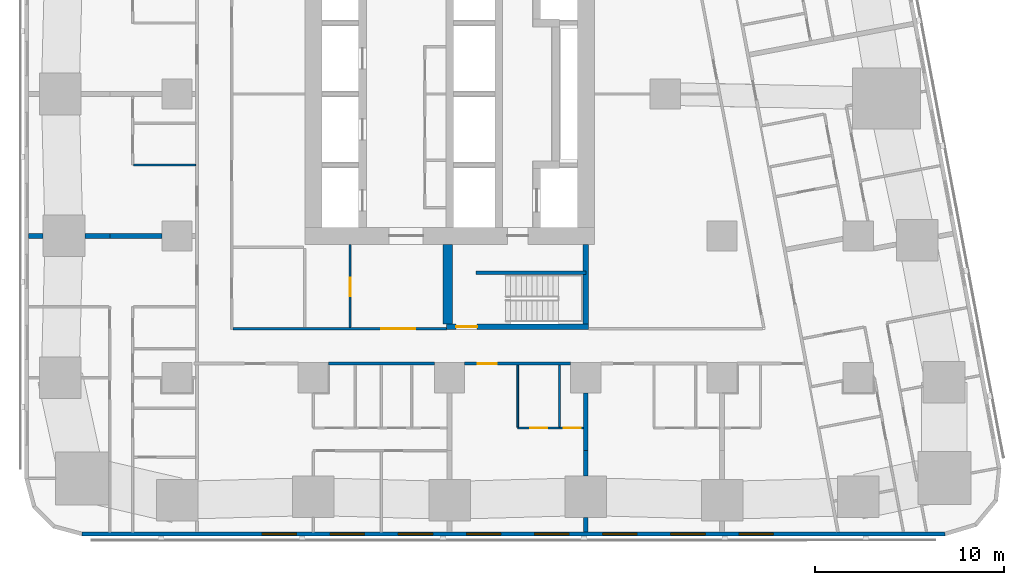
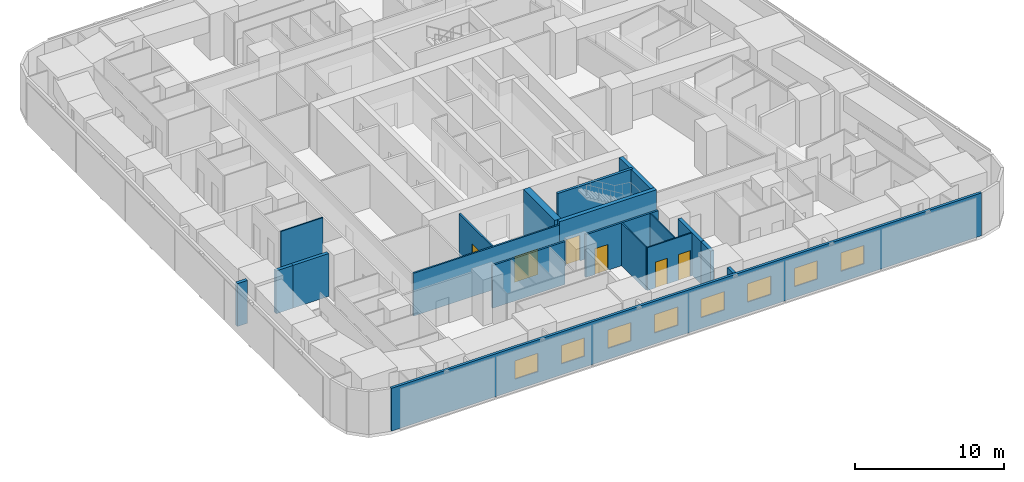
# One storey, part 3 of 14: 19 walls, 8 windows, 6 doors, 14 openings.
"""IFC4 building model written with IfcOpenShell, lengths in metres."""

import ifcopenshell
import ifcopenshell.guid

model = None  # the IFC model being written
_history = None  # IfcOwnerHistory: only IFC2X3 demands one
_inside = {}  # id of a spatial element -> (the spatial element, [elements in it])
_under = {}  # id of a project, library or spatial element -> (it, [spatial elements below it])
_declared = {}  # id of a project -> (the project, [libraries it declares])
_typed = {}  # id of a type object -> (the type object, [elements of that type])
_made_of = {}  # id of a material, layer set ... -> (it, [elements and type objects made of it])


def new_model(schema):
    """Start an empty IFC model of exactly this schema.

    Asked for "IFC4X3", IfcOpenShell would pick the latest addendum, in which some entities
    have other attributes; the version numbers below select the first issue.
    IFC2X3 requires an IfcOwnerHistory on every rooted entity: one is made here for all.
    """
    global model, _history
    if schema == "IFC4X3":
        model = ifcopenshell.file(schema_version=(4, 3, 0, 0))
    else:
        model = ifcopenshell.file(schema=schema)
    _inside.clear()
    _under.clear()
    _declared.clear()
    _typed.clear()
    _made_of.clear()
    _history = None
    if model.schema == "IFC2X3":
        org = make("IfcOrganization", Name="unknown")
        user = make(
            "IfcPersonAndOrganization",
            ThePerson=make("IfcPerson", FamilyName="unknown"),
            TheOrganization=org,
        )
        app = make(
            "IfcApplication",
            ApplicationDeveloper=org,
            Version="unknown",
            ApplicationFullName="unknown",
            ApplicationIdentifier="unknown",
        )
        _history = make(
            "IfcOwnerHistory",
            OwningUser=user,
            OwningApplication=app,
            ChangeAction="ADDED",
            CreationDate=0,
        )
    return model


def make(cls, **values):
    """One entity of the class cls with the attributes given. An attribute that is None is left unset."""
    return model.create_entity(
        cls, **{name: value for name, value in values.items() if value is not None}
    )


def rooted(cls, **values):
    """An entity with a GlobalId (a new one), such as an element, a storey or a relation."""
    return make(cls, GlobalId=ifcopenshell.guid.new(), OwnerHistory=_history, **values)


def si_unit(unit_type, name, prefix=None):
    """IfcSIUnit, for example si_unit("LENGTHUNIT", "METRE", prefix="MILLI")."""
    return make("IfcSIUnit", UnitType=unit_type, Prefix=prefix, Name=name)


def assignment(units):
    """IfcUnitAssignment: the units of a project."""
    return None if units is None else make("IfcUnitAssignment", Units=units)


def point(xyz):
    """IfcCartesianPoint."""
    return None if xyz is None else make("IfcCartesianPoint", Coordinates=xyz)


def direction(xyz):
    """IfcDirection."""
    return None if xyz is None else make("IfcDirection", DirectionRatios=xyz)


def frame(location, z_axis=None, x_axis=None):
    """IfcAxis2Placement3D, a coordinate frame: its origin and axes. An axis left out is left unset."""
    return make(
        "IfcAxis2Placement3D",
        Location=point(location),
        Axis=direction(z_axis),
        RefDirection=direction(x_axis),
    )


def frame_2d(location, x_axis=None):
    """IfcAxis2Placement2D, a coordinate frame in the plane: its origin and x axis."""
    return make(
        "IfcAxis2Placement2D", Location=point(location), RefDirection=direction(x_axis)
    )


def origin():
    """The frame at (0, 0, 0) with its axes left unset."""
    return frame((0.0, 0.0, 0.0))


def place(relative_to, where):
    """IfcLocalPlacement: puts the frame where relative to a parent placement (None: the world)."""
    return make(
        "IfcLocalPlacement", PlacementRelTo=relative_to, RelativePlacement=where
    )


def context(
    kind, dimensions, precision=None, world=None, true_north=None, identifier=None
):
    """IfcGeometricRepresentationContext, for example the 3D "Model" context."""
    return make(
        "IfcGeometricRepresentationContext",
        ContextIdentifier=identifier,
        ContextType=kind,
        CoordinateSpaceDimension=dimensions,
        Precision=precision,
        WorldCoordinateSystem=world,
        TrueNorth=true_north,
    )


def subcontext(parent, identifier, kind, view, scale=None):
    """IfcGeometricRepresentationSubContext, for example "Body" below "Model"."""
    return make(
        "IfcGeometricRepresentationSubContext",
        ContextIdentifier=identifier,
        ContextType=kind,
        ParentContext=parent,
        TargetScale=scale,
        TargetView=view,
    )


def project(units=None, contexts=None):
    """IfcProject with its units and contexts."""
    return rooted(
        "IfcProject",
        Name="project",
        RepresentationContexts=contexts,
        UnitsInContext=assignment(units),
    )


def spatial(cls, under=None, at=None, **own):
    """A site, building, storey or space (cls), placed at a placement, below another one or the project."""
    s = rooted(cls, ObjectPlacement=at, **own)
    if under is not None:
        _under.setdefault(under.id(), (under, []))[1].append(s)
    return s


def profile(cls, at=None, kind="AREA", **sizes):
    """A parametric profile (cls). Its sizes go by their IFC names, for example OverallWidth=200.0."""
    return make(cls, ProfileType=kind, Position=at, **sizes)


def rectangle(**sizes):
    """IfcRectangleProfileDef."""
    return profile("IfcRectangleProfileDef", **sizes)


def extrude(swept, where, along, depth):
    """IfcExtrudedAreaSolid: the profile swept, set in the frame where, extruded along a direction by depth."""
    return make(
        "IfcExtrudedAreaSolid",
        SweptArea=swept,
        Position=where,
        ExtrudedDirection=direction(along),
        Depth=depth,
    )


def shape(context_of_items, identifier, shape_type, items):
    """IfcShapeRepresentation: the items that make up one representation, for example the "Body"."""
    return make(
        "IfcShapeRepresentation",
        ContextOfItems=context_of_items,
        RepresentationIdentifier=identifier,
        RepresentationType=shape_type,
        Items=items,
    )


def material(Name=None, Category=None):
    """IfcMaterial."""
    return make("IfcMaterial", Name=Name, Category=Category)


def layer(
    of_material, thickness, ventilated=None, Name=None, Category=None, Priority=None
):
    """IfcMaterialLayer: one layer of a wall or slab, of a material (None: an air gap)."""
    return make(
        "IfcMaterialLayer",
        Material=of_material,
        LayerThickness=thickness,
        IsVentilated=ventilated,
        Name=Name,
        Category=Category,
        Priority=Priority,
    )


def layer_set(layers, Name=None):
    """IfcMaterialLayerSet."""
    return make("IfcMaterialLayerSet", MaterialLayers=layers, LayerSetName=Name)


def made_of(thing, what):
    """Note that an element or type object is made of a material, layer set ...; save() writes the relation."""
    if what is not None:
        _made_of.setdefault(what.id(), (what, []))[1].append(thing)
    return thing


def type_object(cls, material=None, **own):
    """A type object (cls), such as IfcWallType, which elements share."""
    return made_of(rooted(cls, **own), material)


def element(
    cls,
    number,
    at=None,
    inside=None,
    cuts=None,
    type_object=None,
    material=None,
    context=None,
    identifier="Body",
    shape_type=None,
    held_by="IfcProductDefinitionShape",
    body=None,
    shapes=None,
    **own,
):
    """One element of the class cls, such as IfcWall. Its Tag is "e" and its number.

    at: its placement. inside: the storey or other place that contains it. cuts: it is an
    opening in that element (IfcRelVoidsElement). A single representation is given by context,
    identifier, shape_type and body (its items); several are given by shapes. held_by: the class
    of the entity that holds the representations. save() writes the other relations.
    """
    e = rooted(cls, Tag="e%d" % number, ObjectPlacement=at, **own)
    if body is not None:
        shapes = [shape(context, identifier, shape_type, body)]
    if shapes is not None:
        e.Representation = make(held_by, Representations=shapes)
    if inside is not None:
        _inside.setdefault(inside.id(), (inside, []))[1].append(e)
    if cuts is not None:
        rooted(
            "IfcRelVoidsElement", RelatingBuildingElement=cuts, RelatedOpeningElement=e
        )
    if type_object is not None:
        _typed.setdefault(type_object.id(), (type_object, []))[1].append(e)
    return made_of(e, material)


def fill(opening, filler):
    """IfcRelFillsElement: the door or window that sits in an opening."""
    return rooted(
        "IfcRelFillsElement",
        RelatingOpeningElement=opening,
        RelatedBuildingElement=filler,
    )


def aggregate(whole, parts):
    """IfcRelAggregates: a whole, such as a stair, and the parts it consists of."""
    return rooted("IfcRelAggregates", RelatingObject=whole, RelatedObjects=parts)


def save(model, path):
    """Write the relations noted so far, then the file.

    IfcRelAggregates (storeys below a building ...), IfcRelContainedInSpatialStructure (elements
    in a storey), IfcRelDefinesByType, IfcRelAssociatesMaterial and IfcRelDeclares: one each for
    every whole, place, type object, material and project.
    """
    for whole, parts in _under.values():
        aggregate(whole, parts)
    for where, things in _inside.values():
        rooted(
            "IfcRelContainedInSpatialStructure",
            RelatedElements=things,
            RelatingStructure=where,
        )
    for kind, things in _typed.values():
        rooted("IfcRelDefinesByType", RelatedObjects=things, RelatingType=kind)
    for what, things in _made_of.values():
        rooted("IfcRelAssociatesMaterial", RelatedObjects=things, RelatingMaterial=what)
    for by, libraries in _declared.values():
        rooted("IfcRelDeclares", RelatingContext=by, RelatedDefinitions=libraries)
    model.write(path)


model = new_model("IFC4")

# Units and contexts
model_context = context("Model", 3, precision=1e-05, world=origin(), true_north=direction((0.0, 1.0)))
body_context = subcontext(model_context, "Body", "Model", "MODEL_VIEW")
ifc_project = project(units=[si_unit("LENGTHUNIT", "METRE"), si_unit("AREAUNIT", "SQUARE_METRE"), si_unit("VOLUMEUNIT", "CUBIC_METRE"), si_unit("PLANEANGLEUNIT", "RADIAN"), si_unit("MASSUNIT", "GRAM", prefix="KILO")], contexts=[model_context])

# Site, building, storey
site_placement = place(None, origin())
site = spatial("IfcSite", under=ifc_project, at=site_placement, CompositionType="ELEMENT")
building_placement = place(site_placement, origin())
building = spatial("IfcBuilding", under=site, at=building_placement, Name="Sheger Commons Tower", CompositionType="ELEMENT")
storey_placement = place(building_placement, frame((0.0, 0.0, 122.89990234375)))
storey = spatial("IfcBuildingStorey", under=building, at=storey_placement, Name="L31", CompositionType="ELEMENT", Elevation=122.89990234375)

# Wall, opening, door
ifc_material_1 = material(Name="Hollow concrete block masonry, skimmed both sides", Category="masonry")
ifc_layer_1 = layer(ifc_material_1, 0.14990234375)
ifc_layer_set_1 = layer_set([ifc_layer_1], Name="CORRIDOR WALL 150")
wall_type_1 = type_object("IfcWallType", Name="CORRIDOR WALL 150", PredefinedType="SOLIDWALL", material=ifc_layer_set_1)
wall_1_placement = place(storey_placement, frame((27.9990234375, 8.25, 0.0), z_axis=(0.0, 0.0, 1.0), x_axis=(-1.0, 0.0, 0.0)))
wall_1 = element("IfcWall", 1, at=wall_1_placement, inside=storey, type_object=wall_type_1, Name="Corridor wall L31", PredefinedType="SOLIDWALL", context=body_context, shape_type="SweptSolid", body=[
    extrude(rectangle(XDim=5.59814453125, YDim=0.14990234375, at=frame_2d((2.799072265625, 0.0))), origin(), (0.0, 0.0, 1.0), 3.5),
])
opening_1_placement = place(wall_1_placement, frame((3.89892578125, 0.0, 0.0)))
opening_1 = element("IfcOpeningElement", 2, at=opening_1_placement, cuts=wall_1, Name="Opening D1", PredefinedType="OPENING", context=body_context, shape_type="SweptSolid", body=[
    extrude(rectangle(XDim=1.0, YDim=2.10009765625, at=frame_2d((0.5, 1.050048828125))), frame((0.0, 0.0849609375, 0.0), z_axis=(0.0, -1.0, 0.0), x_axis=(1.0, 0.0, 0.0)), (0.0, 0.0, 1.0), 0.169921875),
])
ifc_material_2 = material(Name="Steel door set, fire rated", Category="steel")
door_type_1 = type_object("IfcDoorType", Name="FLAT ENTRANCE DOOR 1000x2100", OperationType="NOTDEFINED", PredefinedType="DOOR", material=ifc_material_2)
door_1_placement = place(opening_1_placement, origin())
door_1 = element("IfcDoor", 3, at=door_1_placement, inside=storey, type_object=door_type_1, Name="Flat entrance door", OperationType="SINGLE_SWING_RIGHT", OverallHeight=2.10009765625, OverallWidth=1.0, PredefinedType="DOOR", context=body_context, shape_type="SweptSolid", body=[
    extrude(rectangle(XDim=1.0, YDim=2.10009765625, at=frame_2d((0.5, 1.050048828125))), frame((0.0, 0.02490234375, 0.0), z_axis=(0.0, -1.0, 0.0), x_axis=(1.0, 0.0, 0.0)), (0.0, 0.0, 1.0), 0.050048828125),
])
fill(opening_1, door_1)

# Walls
wall_2_placement = place(storey_placement, frame((20.799072265625, 8.25, 0.0), z_axis=(0.0, 0.0, 1.0), x_axis=(-1.0, 0.0, 0.0)))
element("IfcWall", 4, at=wall_2_placement, inside=storey, type_object=wall_type_1, Name="Corridor wall L31", PredefinedType="SOLIDWALL", context=body_context, shape_type="SweptSolid", body=[
    extrude(rectangle(XDim=5.59814453125, YDim=0.14990234375, at=frame_2d((2.799072265625, 0.0))), origin(), (0.0, 0.0, 1.0), 3.5),
])
ifc_material_3 = material(Name="Dense concrete block masonry, plastered both sides (separating wall between flats)", Category="masonry")
ifc_layer_2 = layer(ifc_material_3, 0.25)
ifc_layer_set_2 = layer_set([ifc_layer_2], Name="DEMISING WALL 250")
wall_type_2 = type_object("IfcWallType", Name="DEMISING WALL 250", PredefinedType="SOLIDWALL", material=ifc_layer_set_2)
wall_3_placement = place(storey_placement, frame((-0.64990234375, 15.0, 0.0), z_axis=(0.0, 0.0, 1.0), x_axis=(1.0, 0.0, 0.0)))
element("IfcWall", 5, at=wall_3_placement, inside=storey, type_object=wall_type_2, Name="Demising wall L31", PredefinedType="SOLIDWALL", context=body_context, shape_type="SweptSolid", body=[
    extrude(rectangle(XDim=0.77392578125, YDim=0.25, at=frame_2d((0.386962890625, 0.0))), origin(), (0.0, 0.0, 1.0), 3.5),
])
wall_4_placement = place(storey_placement, frame((2.325927734375, 15.0, 0.0), z_axis=(0.0, 0.0, 1.0), x_axis=(1.0, 0.0, 0.0)))
element("IfcWall", 6, at=wall_4_placement, inside=storey, type_object=wall_type_2, Name="Demising wall L31", PredefinedType="SOLIDWALL", context=body_context, shape_type="SweptSolid", body=[
    extrude(rectangle(XDim=1.323974609375, YDim=0.25, at=frame_2d((0.662109375, 0.0))), origin(), (0.0, 0.0, 1.0), 3.5),
])
wall_5_placement = place(storey_placement, frame((3.64990234375, 15.0, 0.0), z_axis=(0.0, 0.0, 1.0), x_axis=(1.0, 0.0, 0.0)))
element("IfcWall", 7, at=wall_5_placement, inside=storey, type_object=wall_type_2, Name="Demising wall L31", PredefinedType="SOLIDWALL", context=body_context, shape_type="SweptSolid", body=[
    extrude(rectangle(XDim=2.7490234375, YDim=0.25, at=frame_2d((1.37451171875, 0.0))), origin(), (0.0, 0.0, 1.0), 3.5),
])
wall_6_placement = place(storey_placement, frame((28.800048828125, -0.64990234375, 0.0), z_axis=(0.0, 0.0, 1.0), x_axis=(0.0, 1.0, 0.0)))
element("IfcWall", 8, at=wall_6_placement, inside=storey, type_object=wall_type_2, Name="Demising wall L31", PredefinedType="SOLIDWALL", context=body_context, shape_type="SweptSolid", body=[
    extrude(rectangle(XDim=0.77392578125, YDim=0.25, at=frame_2d((0.386962890625, 0.0))), origin(), (0.0, 0.0, 1.0), 3.5),
])
wall_7_placement = place(storey_placement, frame((28.800048828125, 2.325927734375, 0.0), z_axis=(0.0, 0.0, 1.0), x_axis=(0.0, 1.0, 0.0)))
element("IfcWall", 9, at=wall_7_placement, inside=storey, type_object=wall_type_2, Name="Demising wall L31", PredefinedType="SOLIDWALL", context=body_context, shape_type="SweptSolid", body=[
    extrude(rectangle(XDim=1.323974609375, YDim=0.25, at=frame_2d((0.662109375, 0.0))), origin(), (0.0, 0.0, 1.0), 3.5),
])
wall_8_placement = place(storey_placement, frame((28.800048828125, 3.64990234375, 0.0), z_axis=(0.0, 0.0, 1.0), x_axis=(0.0, 1.0, 0.0)))
element("IfcWall", 10, at=wall_8_placement, inside=storey, type_object=wall_type_2, Name="Demising wall L31", PredefinedType="SOLIDWALL", context=body_context, shape_type="SweptSolid", body=[
    extrude(rectangle(XDim=3.049072265625, YDim=0.25, at=frame_2d((1.5244140625, 0.0))), origin(), (0.0, 0.0, 1.0), 3.5),
])

# Wall, openings, windows
ifc_material_4 = material(Name="Rendered concrete block masonry, dark grey", Category="masonry")
ifc_layer_3 = layer(ifc_material_4, 0.199951171875)
ifc_layer_set_3 = layer_set([ifc_layer_3], Name="FACADE WALL 200")
wall_type_3 = type_object("IfcWallType", Name="FACADE WALL 200", PredefinedType="SOLIDWALL", material=ifc_layer_set_3)
wall_9_placement = place(storey_placement, frame((2.1630859375, -0.75, 0.0), z_axis=(0.0, 0.0, 1.0), x_axis=(1.0, 0.0, 0.0)))
wall_9 = element("IfcWall", 11, at=wall_9_placement, inside=storey, type_object=wall_type_3, Name="Facade wall L31", PredefinedType="SOLIDWALL", context=body_context, shape_type="SweptSolid", body=[
    extrude(rectangle(XDim=45.6279296875, YDim=0.199951171875, at=frame_2d((22.81396484375, 0.0))), origin(), (0.0, 0.0, 1.0), 3.5),
])
opening_2_placement = place(wall_9_placement, frame((9.537109375, 0.0, 0.89990234375)))
opening_2 = element("IfcOpeningElement", 12, at=opening_2_placement, cuts=wall_9, Name="Opening W2", PredefinedType="OPENING", context=body_context, shape_type="SweptSolid", body=[
    extrude(rectangle(XDim=1.800048828125, YDim=1.5, at=frame_2d((0.89990234375, 0.75))), frame((0.0, 0.10986328125, 0.0), z_axis=(0.0, -1.0, 0.0), x_axis=(1.0, 0.0, 0.0)), (0.0, 0.0, 1.0), 0.219970703125),
])
opening_3_placement = place(wall_9_placement, frame((13.136962890625, 0.0, 0.89990234375)))
opening_3 = element("IfcOpeningElement", 13, at=opening_3_placement, cuts=wall_9, Name="Opening W2", PredefinedType="OPENING", context=body_context, shape_type="SweptSolid", body=[
    extrude(rectangle(XDim=1.800048828125, YDim=1.5, at=frame_2d((0.89990234375, 0.75))), frame((0.0, 0.10986328125, 0.0), z_axis=(0.0, -1.0, 0.0), x_axis=(1.0, 0.0, 0.0)), (0.0, 0.0, 1.0), 0.219970703125),
])
opening_4_placement = place(wall_9_placement, frame((16.737060546875, 0.0, 0.89990234375)))
opening_4 = element("IfcOpeningElement", 14, at=opening_4_placement, cuts=wall_9, Name="Opening W2", PredefinedType="OPENING", context=body_context, shape_type="SweptSolid", body=[
    extrude(rectangle(XDim=1.800048828125, YDim=1.5, at=frame_2d((0.89990234375, 0.75))), frame((0.0, 0.10986328125, 0.0), z_axis=(0.0, -1.0, 0.0), x_axis=(1.0, 0.0, 0.0)), (0.0, 0.0, 1.0), 0.219970703125),
])
opening_5_placement = place(wall_9_placement, frame((20.3369140625, 0.0, 0.89990234375)))
opening_5 = element("IfcOpeningElement", 15, at=opening_5_placement, cuts=wall_9, Name="Opening W2", PredefinedType="OPENING", context=body_context, shape_type="SweptSolid", body=[
    extrude(rectangle(XDim=1.800048828125, YDim=1.5, at=frame_2d((0.89990234375, 0.75))), frame((0.0, 0.10986328125, 0.0), z_axis=(0.0, -1.0, 0.0), x_axis=(1.0, 0.0, 0.0)), (0.0, 0.0, 1.0), 0.219970703125),
])
opening_6_placement = place(wall_9_placement, frame((23.93701171875, 0.0, 0.89990234375)))
opening_6 = element("IfcOpeningElement", 16, at=opening_6_placement, cuts=wall_9, Name="Opening W2", PredefinedType="OPENING", context=body_context, shape_type="SweptSolid", body=[
    extrude(rectangle(XDim=1.800048828125, YDim=1.5, at=frame_2d((0.89990234375, 0.75))), frame((0.0, 0.10986328125, 0.0), z_axis=(0.0, -1.0, 0.0), x_axis=(1.0, 0.0, 0.0)), (0.0, 0.0, 1.0), 0.219970703125),
])
opening_7_placement = place(wall_9_placement, frame((27.537109375, 0.0, 0.89990234375)))
opening_7 = element("IfcOpeningElement", 17, at=opening_7_placement, cuts=wall_9, Name="Opening W2", PredefinedType="OPENING", context=body_context, shape_type="SweptSolid", body=[
    extrude(rectangle(XDim=1.800048828125, YDim=1.5, at=frame_2d((0.89990234375, 0.75))), frame((0.0, 0.10986328125, 0.0), z_axis=(0.0, -1.0, 0.0), x_axis=(1.0, 0.0, 0.0)), (0.0, 0.0, 1.0), 0.219970703125),
])
opening_8_placement = place(wall_9_placement, frame((31.136962890625, 0.0, 0.89990234375)))
opening_8 = element("IfcOpeningElement", 18, at=opening_8_placement, cuts=wall_9, Name="Opening W2", PredefinedType="OPENING", context=body_context, shape_type="SweptSolid", body=[
    extrude(rectangle(XDim=1.800048828125, YDim=1.5, at=frame_2d((0.89990234375, 0.75))), frame((0.0, 0.10986328125, 0.0), z_axis=(0.0, -1.0, 0.0), x_axis=(1.0, 0.0, 0.0)), (0.0, 0.0, 1.0), 0.219970703125),
])
opening_9_placement = place(wall_9_placement, frame((34.737060546875, 0.0, 0.89990234375)))
opening_9 = element("IfcOpeningElement", 19, at=opening_9_placement, cuts=wall_9, Name="Opening W2", PredefinedType="OPENING", context=body_context, shape_type="SweptSolid", body=[
    extrude(rectangle(XDim=1.800048828125, YDim=1.5, at=frame_2d((0.89990234375, 0.75))), frame((0.0, 0.10986328125, 0.0), z_axis=(0.0, -1.0, 0.0), x_axis=(1.0, 0.0, 0.0)), (0.0, 0.0, 1.0), 0.219970703125),
])
ifc_material_5 = material(Name="Black aluminium frame, dark tinted double glazing", Category="aluminium")
window_type = type_object("IfcWindowType", Name="WINDOW W2 1800x1500", PartitioningType="SINGLE_PANEL", PredefinedType="WINDOW", material=ifc_material_5)
window_1_placement = place(opening_2_placement, origin())
window_1 = element("IfcWindow", 20, at=window_1_placement, inside=storey, type_object=window_type, Name="Window W2 1800X1500", OverallHeight=1.5, OverallWidth=1.800048828125, PartitioningType="SINGLE_PANEL", PredefinedType="WINDOW", context=body_context, shape_type="SweptSolid", body=[
    extrude(rectangle(XDim=1.800048828125, YDim=1.5, at=frame_2d((0.89990234375, 0.75))), frame((0.0, 0.030029296875, 0.0), z_axis=(0.0, -1.0, 0.0), x_axis=(1.0, 0.0, 0.0)), (0.0, 0.0, 1.0), 0.06005859375),
])
fill(opening_2, window_1)
window_2_placement = place(opening_3_placement, origin())
window_2 = element("IfcWindow", 21, at=window_2_placement, inside=storey, type_object=window_type, Name="Window W2 1800X1500", OverallHeight=1.5, OverallWidth=1.800048828125, PartitioningType="SINGLE_PANEL", PredefinedType="WINDOW", context=body_context, shape_type="SweptSolid", body=[
    extrude(rectangle(XDim=1.800048828125, YDim=1.5, at=frame_2d((0.89990234375, 0.75))), frame((0.0, 0.030029296875, 0.0), z_axis=(0.0, -1.0, 0.0), x_axis=(1.0, 0.0, 0.0)), (0.0, 0.0, 1.0), 0.06005859375),
])
fill(opening_3, window_2)
window_3_placement = place(opening_4_placement, origin())
window_3 = element("IfcWindow", 22, at=window_3_placement, inside=storey, type_object=window_type, Name="Window W2 1800X1500", OverallHeight=1.5, OverallWidth=1.800048828125, PartitioningType="SINGLE_PANEL", PredefinedType="WINDOW", context=body_context, shape_type="SweptSolid", body=[
    extrude(rectangle(XDim=1.800048828125, YDim=1.5, at=frame_2d((0.89990234375, 0.75))), frame((0.0, 0.030029296875, 0.0), z_axis=(0.0, -1.0, 0.0), x_axis=(1.0, 0.0, 0.0)), (0.0, 0.0, 1.0), 0.06005859375),
])
fill(opening_4, window_3)
window_4_placement = place(opening_5_placement, origin())
window_4 = element("IfcWindow", 23, at=window_4_placement, inside=storey, type_object=window_type, Name="Window W2 1800X1500", OverallHeight=1.5, OverallWidth=1.800048828125, PartitioningType="SINGLE_PANEL", PredefinedType="WINDOW", context=body_context, shape_type="SweptSolid", body=[
    extrude(rectangle(XDim=1.800048828125, YDim=1.5, at=frame_2d((0.89990234375, 0.75))), frame((0.0, 0.030029296875, 0.0), z_axis=(0.0, -1.0, 0.0), x_axis=(1.0, 0.0, 0.0)), (0.0, 0.0, 1.0), 0.06005859375),
])
fill(opening_5, window_4)
window_5_placement = place(opening_6_placement, origin())
window_5 = element("IfcWindow", 24, at=window_5_placement, inside=storey, type_object=window_type, Name="Window W2 1800X1500", OverallHeight=1.5, OverallWidth=1.800048828125, PartitioningType="SINGLE_PANEL", PredefinedType="WINDOW", context=body_context, shape_type="SweptSolid", body=[
    extrude(rectangle(XDim=1.800048828125, YDim=1.5, at=frame_2d((0.89990234375, 0.75))), frame((0.0, 0.030029296875, 0.0), z_axis=(0.0, -1.0, 0.0), x_axis=(1.0, 0.0, 0.0)), (0.0, 0.0, 1.0), 0.06005859375),
])
fill(opening_6, window_5)
window_6_placement = place(opening_7_placement, origin())
window_6 = element("IfcWindow", 25, at=window_6_placement, inside=storey, type_object=window_type, Name="Window W2 1800X1500", OverallHeight=1.5, OverallWidth=1.800048828125, PartitioningType="SINGLE_PANEL", PredefinedType="WINDOW", context=body_context, shape_type="SweptSolid", body=[
    extrude(rectangle(XDim=1.800048828125, YDim=1.5, at=frame_2d((0.89990234375, 0.75))), frame((0.0, 0.030029296875, 0.0), z_axis=(0.0, -1.0, 0.0), x_axis=(1.0, 0.0, 0.0)), (0.0, 0.0, 1.0), 0.06005859375),
])
fill(opening_7, window_6)
window_7_placement = place(opening_8_placement, origin())
window_7 = element("IfcWindow", 26, at=window_7_placement, inside=storey, type_object=window_type, Name="Window W2 1800X1500", OverallHeight=1.5, OverallWidth=1.800048828125, PartitioningType="SINGLE_PANEL", PredefinedType="WINDOW", context=body_context, shape_type="SweptSolid", body=[
    extrude(rectangle(XDim=1.800048828125, YDim=1.5, at=frame_2d((0.89990234375, 0.75))), frame((0.0, 0.030029296875, 0.0), z_axis=(0.0, -1.0, 0.0), x_axis=(1.0, 0.0, 0.0)), (0.0, 0.0, 1.0), 0.06005859375),
])
fill(opening_8, window_7)
window_8_placement = place(opening_9_placement, origin())
window_8 = element("IfcWindow", 27, at=window_8_placement, inside=storey, type_object=window_type, Name="Window W2 1800X1500", OverallHeight=1.5, OverallWidth=1.800048828125, PartitioningType="SINGLE_PANEL", PredefinedType="WINDOW", context=body_context, shape_type="SweptSolid", body=[
    extrude(rectangle(XDim=1.800048828125, YDim=1.5, at=frame_2d((0.89990234375, 0.75))), frame((0.0, 0.030029296875, 0.0), z_axis=(0.0, -1.0, 0.0), x_axis=(1.0, 0.0, 0.0)), (0.0, 0.0, 1.0), 0.06005859375),
])
fill(opening_9, window_8)

# Wall
ifc_material_6 = material(Name="Gypsum board on steel studs", Category="steel")
ifc_layer_4 = layer(ifc_material_6, 0.10009765625)
ifc_layer_set_4 = layer_set([ifc_layer_4], Name="PARTITION 100")
wall_type_4 = type_object("IfcWallType", Name="PARTITION 100", PredefinedType="PARTITIONING", material=ifc_layer_set_4)
wall_10_placement = place(storey_placement, frame((4.89990234375, 18.75, 0.0), z_axis=(0.0, 0.0, 1.0), x_axis=(1.0, 0.0, 0.0)))
element("IfcWall", 28, at=wall_10_placement, inside=storey, type_object=wall_type_4, Name="Partition L31", PredefinedType="PARTITIONING", context=body_context, shape_type="SweptSolid", body=[
    extrude(rectangle(XDim=3.275146484375, YDim=0.10009765625, at=frame_2d((1.6376953125, 0.0))), origin(), (0.0, 0.0, 1.0), 3.5),
])

# Wall, openings, doors
wall_11_placement = place(storey_placement, frame((28.675048828125, 4.85009765625, 0.0), z_axis=(0.0, 0.0, 1.0), x_axis=(-1.0, 0.0, 0.0)))
wall_11 = element("IfcWall", 29, at=wall_11_placement, inside=storey, type_object=wall_type_4, Name="Partition L31", PredefinedType="PARTITIONING", context=body_context, shape_type="SweptSolid", body=[
    extrude(rectangle(XDim=3.47509765625, YDim=0.10009765625, at=frame_2d((1.737548828125, 0.0))), origin(), (0.0, 0.0, 1.0), 3.5),
])
opening_10_placement = place(wall_11_placement, frame((1.919921875, 0.0, 0.0)))
opening_10 = element("IfcOpeningElement", 30, at=opening_10_placement, cuts=wall_11, Name="Opening D2", PredefinedType="OPENING", context=body_context, shape_type="SweptSolid", body=[
    extrude(rectangle(XDim=0.89990234375, YDim=2.10009765625, at=frame_2d((0.449951171875, 1.050048828125))), frame((0.0, 0.06005859375, 0.0), z_axis=(0.0, -1.0, 0.0), x_axis=(1.0, 0.0, 0.0)), (0.0, 0.0, 1.0), 0.1201171875),
])
opening_11_placement = place(wall_11_placement, frame((0.14990234375, 0.0, 0.0)))
opening_11 = element("IfcOpeningElement", 31, at=opening_11_placement, cuts=wall_11, Name="Opening D2", PredefinedType="OPENING", context=body_context, shape_type="SweptSolid", body=[
    extrude(rectangle(XDim=0.89990234375, YDim=2.10009765625, at=frame_2d((0.449951171875, 1.050048828125))), frame((0.0, 0.06005859375, 0.0), z_axis=(0.0, -1.0, 0.0), x_axis=(1.0, 0.0, 0.0)), (0.0, 0.0, 1.0), 0.1201171875),
])
ifc_material_7 = material(Name="Timber door set", Category="wood")
door_type_2 = type_object("IfcDoorType", Name="INTERNAL DOOR 900x2100", OperationType="NOTDEFINED", PredefinedType="DOOR", material=ifc_material_7)
door_2_placement = place(opening_10_placement, origin())
door_2 = element("IfcDoor", 32, at=door_2_placement, inside=storey, type_object=door_type_2, Name="Bathroom door", OperationType="SINGLE_SWING_LEFT", OverallHeight=2.10009765625, OverallWidth=0.89990234375, PredefinedType="DOOR", context=body_context, shape_type="SweptSolid", body=[
    extrude(rectangle(XDim=0.89990234375, YDim=2.10009765625, at=frame_2d((0.449951171875, 1.050048828125))), frame((0.0, 0.02490234375, 0.0), z_axis=(0.0, -1.0, 0.0), x_axis=(1.0, 0.0, 0.0)), (0.0, 0.0, 1.0), 0.050048828125),
])
fill(opening_10, door_2)
door_3_placement = place(opening_11_placement, origin())
door_3 = element("IfcDoor", 33, at=door_3_placement, inside=storey, type_object=door_type_2, Name="Store door", OperationType="SINGLE_SWING_RIGHT", OverallHeight=2.10009765625, OverallWidth=0.89990234375, PredefinedType="DOOR", context=body_context, shape_type="SweptSolid", body=[
    extrude(rectangle(XDim=0.89990234375, YDim=2.10009765625, at=frame_2d((0.449951171875, 1.050048828125))), frame((0.0, 0.02490234375, 0.0), z_axis=(0.0, -1.0, 0.0), x_axis=(1.0, 0.0, 0.0)), (0.0, 0.0, 1.0), 0.050048828125),
])
fill(opening_11, door_3)

# Walls
for number, where, z_axis, x_axis, name in (
    (34, (25.199951171875, 4.89990234375, 0.0), (0.0, 0.0, 1.0), (0.0, 1.0, 0.0), "Partition L31"),
    (35, (27.409912109375, 4.89990234375, 0.0), (0.0, 0.0, 1.0), (0.0, 1.0, 0.0), "Partition L31"),
):
    element("IfcWall", number, at=place(storey_placement, frame(where, z_axis=z_axis, x_axis=x_axis)), inside=storey, type_object=wall_type_4, Name=name, PredefinedType="PARTITIONING", context=body_context, shape_type="SweptSolid", body=[
        extrude(rectangle(XDim=3.275146484375, YDim=0.10009765625, at=frame_2d((1.6376953125, 0.0))), origin(), (0.0, 0.0, 1.0), 3.5),
    ])

# Wall, opening, door
ifc_material_8 = material(Name="Gypsum board on steel studs, two layers each side, fire rated", Category="steel")
ifc_layer_5 = layer(ifc_material_8, 0.125)
ifc_layer_set_5 = layer_set([ifc_layer_5], Name="SERVICE WALL 125")
wall_type_5 = type_object("IfcWallType", Name="SERVICE WALL 125", PredefinedType="PARTITIONING", material=ifc_layer_set_5)
wall_12_placement = place(storey_placement, frame((10.1630859375, 10.10009765625, 0.0), z_axis=(0.0, 0.0, 1.0), x_axis=(1.0, 0.0, 0.0)))
wall_12 = element("IfcWall", 36, at=wall_12_placement, inside=storey, type_object=wall_type_5, Name="Service room wall L31", PredefinedType="PARTITIONING", context=body_context, shape_type="SweptSolid", body=[
    extrude(rectangle(XDim=11.286865234375, YDim=0.125, at=frame_2d((5.6435546875, 0.0))), origin(), (0.0, 0.0, 1.0), 3.5),
])
opening_12_placement = place(wall_12_placement, frame((7.83203125, 0.0, 0.0)))
opening_12 = element("IfcOpeningElement", 37, at=opening_12_placement, cuts=wall_12, Name="Opening D6", PredefinedType="OPENING", context=body_context, shape_type="SweptSolid", body=[
    extrude(rectangle(XDim=1.800048828125, YDim=2.10009765625, at=frame_2d((0.89990234375, 1.050048828125))), frame((0.0, 0.072509765625, 0.0), z_axis=(0.0, -1.0, 0.0), x_axis=(1.0, 0.0, 0.0)), (0.0, 0.0, 1.0), 0.14501953125),
])
ifc_material_9 = material(Name="Steel door set, fire rated", Category="steel")
door_type_3 = type_object("IfcDoorType", Name="LOBBY DOUBLE DOOR 1800x2100", OperationType="DOUBLE_DOOR_SINGLE_SWING", PredefinedType="DOOR", material=ifc_material_9)
door_4_placement = place(opening_12_placement, origin())
door_4 = element("IfcDoor", 38, at=door_4_placement, inside=storey, type_object=door_type_3, Name="Lift lobby south door", OperationType="DOUBLE_DOOR_SINGLE_SWING", OverallHeight=2.10009765625, OverallWidth=1.800048828125, PredefinedType="DOOR", context=body_context, shape_type="SweptSolid", body=[
    extrude(rectangle(XDim=1.800048828125, YDim=2.10009765625, at=frame_2d((0.89990234375, 1.050048828125))), frame((0.0, 0.02490234375, 0.0), z_axis=(0.0, -1.0, 0.0), x_axis=(1.0, 0.0, 0.0)), (0.0, 0.0, 1.0), 0.050048828125),
])
fill(opening_12, door_4)

wall_13_placement = place(storey_placement, frame((16.340087890625, 10.1630859375, 0.0), z_axis=(0.0, 0.0, 1.0), x_axis=(0.0, 1.0, 0.0)))
wall_13 = element("IfcWall", 39, at=wall_13_placement, inside=storey, type_object=wall_type_5, Name="Service room wall L31", PredefinedType="PARTITIONING", context=body_context, shape_type="SweptSolid", body=[
    extrude(rectangle(XDim=4.386962890625, YDim=0.125, at=frame_2d((2.193359375, 0.0))), origin(), (0.0, 0.0, 1.0), 3.5),
])
opening_13_placement = place(wall_13_placement, frame((1.636962890625, 0.0, 0.0)))
opening_13 = element("IfcOpeningElement", 40, at=opening_13_placement, cuts=wall_13, Name="Opening D4", PredefinedType="OPENING", context=body_context, shape_type="SweptSolid", body=[
    extrude(rectangle(XDim=1.0, YDim=2.10009765625, at=frame_2d((0.5, 1.050048828125))), frame((0.0, 0.072509765625, 0.0), z_axis=(0.0, -1.0, 0.0), x_axis=(1.0, 0.0, 0.0)), (0.0, 0.0, 1.0), 0.14501953125),
])
ifc_material_10 = material(Name="Steel door set, fire rated", Category="steel")
door_type_4 = type_object("IfcDoorType", Name="SERVICE DOOR 1000x2100", OperationType="NOTDEFINED", PredefinedType="DOOR", material=ifc_material_10)
door_5_placement = place(opening_13_placement, origin())
door_5 = element("IfcDoor", 41, at=door_5_placement, inside=storey, type_object=door_type_4, Name="Electrical room door", OperationType="SINGLE_SWING_LEFT", OverallHeight=2.10009765625, OverallWidth=1.0, PredefinedType="DOOR", context=body_context, shape_type="SweptSolid", body=[
    extrude(rectangle(XDim=1.0, YDim=2.10009765625, at=frame_2d((0.5, 1.050048828125))), frame((0.0, 0.02490234375, 0.0), z_axis=(0.0, -1.0, 0.0), x_axis=(1.0, 0.0, 0.0)), (0.0, 0.0, 1.0), 0.050048828125),
])
fill(opening_13, door_5)

ifc_material_11 = material(Name="Concrete C50/60", Category="concrete")
ifc_layer_6 = layer(ifc_material_11, 0.300048828125)
ifc_layer_set_6 = layer_set([ifc_layer_6], Name="STAIR CORE WALL 300")
wall_type_6 = type_object("IfcWallType", Name="STAIR CORE WALL 300", PredefinedType="SHEAR", material=ifc_layer_set_6)
wall_14_placement = place(storey_placement, frame((21.449951171875, 10.199951171875, 0.0), z_axis=(0.0, 0.0, 1.0), x_axis=(1.0, 0.0, 0.0)))
wall_14 = element("IfcWall", 42, at=wall_14_placement, inside=storey, type_object=wall_type_6, Name="STW-L31-S1S", PredefinedType="SHEAR", context=body_context, shape_type="SweptSolid", body=[
    extrude(rectangle(XDim=7.5, YDim=0.300048828125, at=frame_2d((3.75, 0.0))), origin(), (0.0, 0.0, 1.0), 3.75),
])
opening_14_placement = place(wall_14_placement, frame((0.5, 0.0, 0.0)))
opening_14 = element("IfcOpeningElement", 43, at=opening_14_placement, cuts=wall_14, Name="Opening D5", PredefinedType="OPENING", context=body_context, shape_type="SweptSolid", body=[
    extrude(rectangle(XDim=1.10009765625, YDim=2.10009765625, at=frame_2d((0.550048828125, 1.050048828125))), frame((0.0, 0.159912109375, 0.0), z_axis=(0.0, -1.0, 0.0), x_axis=(1.0, 0.0, 0.0)), (0.0, 0.0, 1.0), 0.320068359375),
])
ifc_material_12 = material(Name="Steel door set, fire rated", Category="steel")
door_type_5 = type_object("IfcDoorType", Name="STAIR DOOR 1100x2100", OperationType="NOTDEFINED", PredefinedType="DOOR", material=ifc_material_12)
door_6_placement = place(opening_14_placement, origin())
door_6 = element("IfcDoor", 44, at=door_6_placement, inside=storey, type_object=door_type_5, Name="Stair S1 door", OperationType="SINGLE_SWING_LEFT", OverallHeight=2.10009765625, OverallWidth=1.10009765625, PredefinedType="DOOR", context=body_context, shape_type="SweptSolid", body=[
    extrude(rectangle(XDim=1.10009765625, YDim=2.10009765625, at=frame_2d((0.550048828125, 1.050048828125))), frame((0.0, 0.02490234375, 0.0), z_axis=(0.0, -1.0, 0.0), x_axis=(1.0, 0.0, 0.0)), (0.0, 0.0, 1.0), 0.050048828125),
])
fill(opening_14, door_6)

# Walls
wall_15_placement = place(storey_placement, frame((28.800048828125, 10.35009765625, 0.0), z_axis=(0.0, 0.0, 1.0), x_axis=(0.0, 1.0, 0.0)))
element("IfcWall", 45, at=wall_15_placement, inside=storey, type_object=wall_type_6, Name="STW-L31-S1E", PredefinedType="SHEAR", context=body_context, shape_type="SweptSolid", body=[
    extrude(rectangle(XDim=4.199951171875, YDim=0.300048828125, at=frame_2d((2.10009765625, 0.0))), origin(), (0.0, 0.0, 1.0), 3.75),
])
ifc_material_13 = material(Name="Concrete C50/60", Category="concrete")
ifc_layer_7 = layer(ifc_material_13, 0.5)
ifc_layer_set_7 = layer_set([ifc_layer_7], Name="STAIR CORE WALL 500")
wall_type_7 = type_object("IfcWallType", Name="STAIR CORE WALL 500", PredefinedType="SHEAR", material=ifc_layer_set_7)
wall_16_placement = place(storey_placement, frame((21.5, 10.35009765625, 0.0), z_axis=(0.0, 0.0, 1.0), x_axis=(0.0, 1.0, 0.0)))
element("IfcWall", 46, at=wall_16_placement, inside=storey, type_object=wall_type_7, Name="STW-L31-S1W", PredefinedType="SHEAR", context=body_context, shape_type="SweptSolid", body=[
    extrude(rectangle(XDim=4.199951171875, YDim=0.5, at=frame_2d((2.10009765625, 0.0))), origin(), (0.0, 0.0, 1.0), 3.75),
])
ifc_material_14 = material(Name="Concrete C50/60", Category="concrete")
ifc_layer_8 = layer(ifc_material_14, 0.199951171875)
ifc_layer_set_8 = layer_set([ifc_layer_8], Name="STAIR SPINE WALL 200")
wall_type_8 = type_object("IfcWallType", Name="STAIR SPINE WALL 200", PredefinedType="SHEAR", material=ifc_layer_set_8)
wall_17_placement = place(storey_placement, frame((23.0, 13.050048828125, 0.0), z_axis=(0.0, 0.0, 1.0), x_axis=(1.0, 0.0, 0.0)))
element("IfcWall", 47, at=wall_17_placement, inside=storey, type_object=wall_type_8, Name="Stair spine wall L31", PredefinedType="SHEAR", context=body_context, shape_type="SweptSolid", body=[
    extrude(rectangle(XDim=5.800048828125, YDim=0.199951171875, at=frame_2d((2.89990234375, 0.0))), origin(), (0.0, 0.0, 1.0), 3.75),
])

save(model, "model.ifc")
